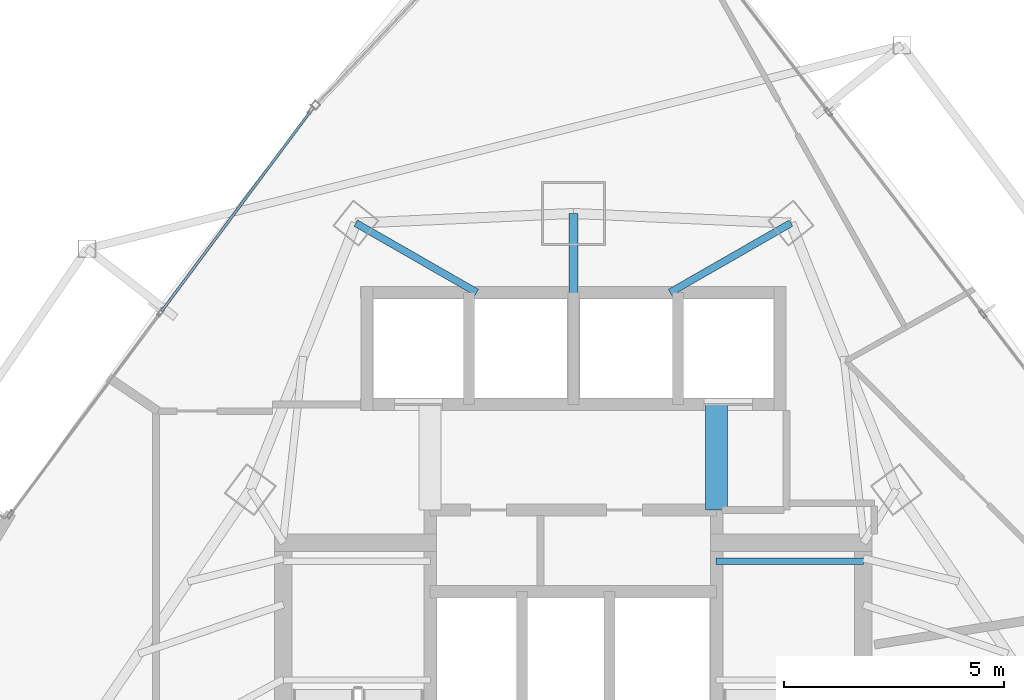
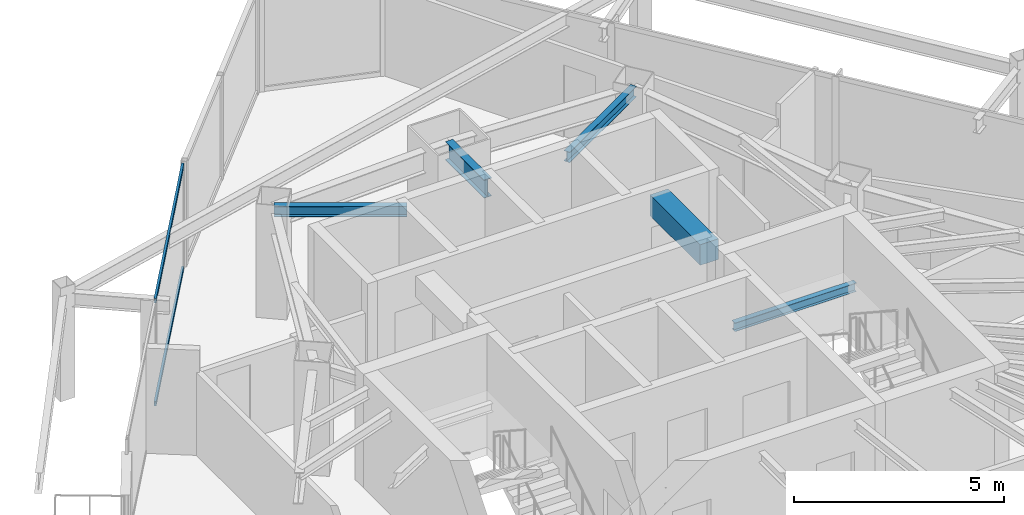
# One storey, part 21 of 33: 5 beams, 2 members, 1 element without a shape of its own.
"""IFC4 building model written with IfcOpenShell, lengths in metres."""

from ifc_helpers import new_model, si_unit, direction, frame, origin, origin_2d, place, context, subcontext, project, spatial, rectangle, hollow_rectangle, i_section, extrude, material, layer, layer_set, material_profile, profile_set, type_object, element, aggregate, save


model = new_model("IFC4")

# Units and contexts
model_context = context("Model", 3, precision=1e-05, world=origin(), true_north=direction((0.0, 1.0)))
body_context = subcontext(model_context, "Body", "Model", "MODEL_VIEW")
ifc_project = project(units=[si_unit("LENGTHUNIT", "METRE"), si_unit("AREAUNIT", "SQUARE_METRE"), si_unit("VOLUMEUNIT", "CUBIC_METRE"), si_unit("PLANEANGLEUNIT", "RADIAN"), si_unit("MASSUNIT", "GRAM", prefix="KILO")], contexts=[model_context])

# Site, building, storey
site_placement = place(None, origin())
site = spatial("IfcSite", under=ifc_project, at=site_placement, CompositionType="ELEMENT")
building_placement = place(site_placement, origin())
building = spatial("IfcBuilding", under=site, at=building_placement, Name="Orvanel Arch Residences", CompositionType="ELEMENT")
storey_placement = place(building_placement, frame((0.0, 0.0, 119.89990234375)))
storey = spatial("IfcBuildingStorey", under=building, at=storey_placement, Name="L33", CompositionType="ELEMENT", Elevation=119.89990234375)

# Beams
ifc_material_1 = material(Name="Structural steel AS/NZS 3679.1 Grade 300 (300 MPa)", Category="steel")
ifc_material_profile_1 = material_profile(ifc_material_1, i_section(OverallWidth=0.208984375, OverallDepth=0.532958984375, WebThickness=0.01025390625, FlangeThickness=0.015625, at=origin_2d()), Name="530UB92.4")
ifc_profile_set_1 = profile_set([ifc_material_profile_1], Name="Structural steel AS/NZS 3679.1 Grade 300 (300 MPa)")
beam_type_1 = type_object("IfcBeamType", Name="BG-530UB", PredefinedType="BEAM", material=ifc_profile_set_1)
beam_1_placement = place(storey_placement, frame((33.0, 39.550048828125, 2.794189453125), z_axis=(0.0, 1.0, 0.0), x_axis=(-1.0, 0.0, 0.0)))
element("IfcBeam", 1, at=beam_1_placement, inside=storey, type_object=beam_type_1, Name="L33 North Radial Girder", PredefinedType="BEAM", context=body_context, shape_type="SweptSolid", body=[
    extrude(i_section(OverallWidth=0.208984375, OverallDepth=0.532958984375, WebThickness=0.01025390625, FlangeThickness=0.015625, at=origin_2d()), origin(), (0.0, 0.0, 1.0), 1.847900390625),
])
ifc_material_profile_2 = material_profile(ifc_material_1, i_section(OverallWidth=0.14599609375, OverallDepth=0.251953125, WebThickness=0.006103515625, FlangeThickness=0.008544921875, at=origin_2d()), Name="250UB31.4")
ifc_profile_set_2 = profile_set([ifc_material_profile_2], Name="Structural steel AS/NZS 3679.1 Grade 300 (300 MPa)")
beam_type_2 = type_object("IfcBeamType", Name="BJ-250UB", PredefinedType="JOIST", material=ifc_profile_set_2)
beam_2_placement = place(storey_placement, frame((36.25, 33.47998046875, 1.32421875), z_axis=(1.0, 0.0, 0.0), x_axis=(0.0, 1.0, 0.0)))
element("IfcBeam", 2, at=beam_2_placement, inside=storey, type_object=beam_type_2, Name="L33 ST-2 Half-Landing Support Beam 1.2", PredefinedType="JOIST", context=body_context, shape_type="SweptSolid", body=[
    extrude(i_section(OverallWidth=0.14599609375, OverallDepth=0.251953125, WebThickness=0.006103515625, FlangeThickness=0.008544921875, at=origin_2d()), origin(), (0.0, 0.0, 1.0), 3.35009765625),
])
ifc_material_profile_3 = material_profile(ifc_material_1, i_section(OverallWidth=0.1650390625, OverallDepth=0.303955078125, WebThickness=0.006103515625, FlangeThickness=0.01025390625, at=origin_2d()), Name="310UB40.4")
ifc_profile_set_3 = profile_set([ifc_material_profile_3], Name="Structural steel AS/NZS 3679.1 Grade 300 (300 MPa)")
beam_type_3 = type_object("IfcBeamType", Name="BJ-310UB", PredefinedType="JOIST", material=ifc_profile_set_3)
for number, where, z_axis, x_axis, name in (
    (3, (30.800048828125, 39.60009765625, 2.908203125), (-0.86736513383, 0.497672306458, 0.0), (-0.497672306458, -0.86736513383, 0.0), "L33 MNW Wing Floor Joist"),
    (4, (35.199951171875, 39.60009765625, 2.908203125), (0.86736513383, 0.497672306458, 0.0), (-0.497672306458, 0.86736513383, 0.0), "L33 MNE Wing Floor Joist"),
):
    element("IfcBeam", number, at=place(storey_placement, frame(where, z_axis=z_axis, x_axis=x_axis)), inside=storey, type_object=beam_type_3, Name=name, PredefinedType="JOIST", context=body_context, shape_type="SweptSolid", body=[
        extrude(i_section(OverallWidth=0.1650390625, OverallDepth=0.303955078125, WebThickness=0.006103515625, FlangeThickness=0.01025390625, at=origin_2d()), origin(), (0.0, 0.0, 1.0), 3.17041015625),
    ])
ifc_material_2 = material(Name="Concrete S65 (65 MPa)", Category="concrete")
ifc_material_profile_4 = material_profile(ifc_material_2, rectangle(XDim=0.5, YDim=0.60009765625, at=origin_2d()), Name="RC500x600")
ifc_profile_set_4 = profile_set([ifc_material_profile_4], Name="Concrete S65 (65 MPa)")
beam_type_4 = type_object("IfcBeamType", Name="CB-500x600", PredefinedType="LINTEL", material=ifc_profile_set_4)
beam_3_placement = place(storey_placement, frame((36.260009765625, 34.64990234375, 2.760009765625), z_axis=(0.0, 1.0, 0.0), x_axis=(-1.0, 0.0, 0.0)))
element("IfcBeam", 5, at=beam_3_placement, inside=storey, type_object=beam_type_4, Name="L33 East Core Lobby Coupling Lintel Beam", PredefinedType="LINTEL", context=body_context, shape_type="SweptSolid", body=[
    extrude(rectangle(XDim=0.5, YDim=0.60009765625, at=origin_2d()), origin(), (0.0, 0.0, 1.0), 2.400146484375),
])

# Curtain wall, members
ifc_material_3 = material(Name="Bronze-anodised aluminium AA6063-T6", Category="aluminium")
ifc_layer = layer(ifc_material_3, 0.179931640625)
ifc_layer_set = layer_set([ifc_layer], Name="Bronze-anodised aluminium AA6063-T6")
curtain_wall_type = type_object("IfcCurtainWallType", Name="CW3-MID-SYS", PredefinedType="NOTDEFINED", material=ifc_layer_set)
curtain_wall_placement = place(storey_placement, origin())
curtain_wall = element("IfcCurtainWall", 6, at=curtain_wall_placement, inside=storey, type_object=curtain_wall_type, Name="L33 CW3-MID-SYS Unitised Curtain Wall", PredefinedType="NOTDEFINED")
ifc_material_profile_5 = material_profile(ifc_material_3, hollow_rectangle(XDim=0.06005859375, YDim=0.135009765625, WallThickness=0.00390625, at=origin_2d()), Name="ALU135x60x4")
ifc_profile_set_5 = profile_set([ifc_material_profile_5], Name="Bronze-anodised aluminium AA6063-T6")
member_type = type_object("IfcMemberType", Name="TRN-135x60", PredefinedType="USERDEFINED", material=ifc_profile_set_5)
member_1_placement = place(storey_placement, frame((27.01123046875, 43.7177734375, 0.030029296875), z_axis=(-0.597175890933, -0.802110313666, 0.0), x_axis=(0.802110313666, -0.597175890933, 0.0)))
member_1 = element("IfcMember", 7, at=member_1_placement, type_object=member_type, Name="CW-S3 transom 1.1", ObjectType="TRANSOM", PredefinedType="USERDEFINED", context=body_context, shape_type="SweptSolid", body=[
    extrude(hollow_rectangle(XDim=0.06005859375, YDim=0.135009765625, WallThickness=0.00390625, at=origin_2d()), origin(), (0.0, 0.0, 1.0), 5.664794921875),
])
member_2_placement = place(storey_placement, frame((27.01123046875, 43.7177734375, 3.030029296875), z_axis=(-0.597175890933, -0.802110313666, 0.0), x_axis=(0.802110313666, -0.597175890933, 0.0)))
member_2 = element("IfcMember", 8, at=member_2_placement, type_object=member_type, Name="CW-S3 transom 1.2", ObjectType="TRANSOM", PredefinedType="USERDEFINED", context=body_context, shape_type="SweptSolid", body=[
    extrude(hollow_rectangle(XDim=0.06005859375, YDim=0.135009765625, WallThickness=0.00390625, at=origin_2d()), origin(), (0.0, 0.0, 1.0), 5.664794921875),
])
aggregate(curtain_wall, [member_1, member_2])

save(model, "model.ifc")
